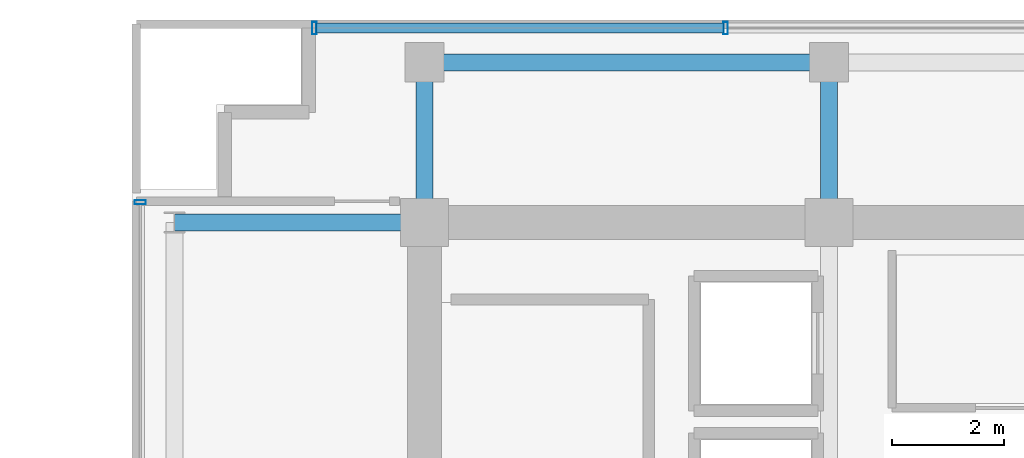
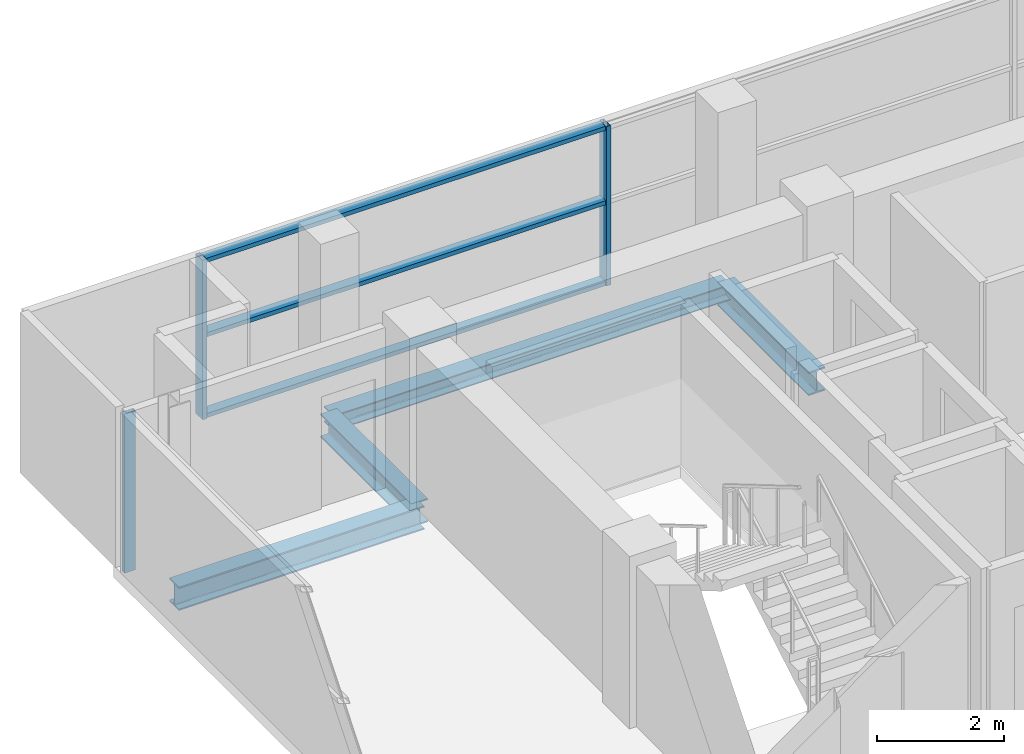
# One storey, part 11 of 21: 6 members, 4 beams, 2 elements without a shape of their own.
"""IFC4 building model written with IfcOpenShell, lengths in metres."""

from ifc_helpers import new_model, si_unit, direction, frame, origin, origin_2d, place, context, subcontext, project, spatial, hollow_rectangle, i_section, extrude, source, transform, mapped, material, layer, layer_set, material_profile, profile_set, type_object, element, aggregate, save


model = new_model("IFC4")

# Units and contexts
model_context = context("Model", 3, precision=1e-05, world=origin(), true_north=direction((0.0, 1.0)))
body_context = subcontext(model_context, "Body", "Model", "MODEL_VIEW")
ifc_project = project(units=[si_unit("LENGTHUNIT", "METRE"), si_unit("AREAUNIT", "SQUARE_METRE"), si_unit("VOLUMEUNIT", "CUBIC_METRE"), si_unit("PLANEANGLEUNIT", "RADIAN"), si_unit("MASSUNIT", "GRAM", prefix="KILO")], contexts=[model_context])

# Site, building, storey
site_placement = place(None, origin())
site = spatial("IfcSite", under=ifc_project, at=site_placement, CompositionType="ELEMENT")
building_placement = place(site_placement, origin())
building = spatial("IfcBuilding", under=site, at=building_placement, Name="Zarnakvel Exchange Tower", CompositionType="ELEMENT")
storey_placement = place(building_placement, frame((0.0, 0.0, 248.5)))
storey = spatial("IfcBuildingStorey", under=building, at=storey_placement, Name="L70", CompositionType="ELEMENT", Elevation=248.5)

# Beams
ifc_material_1 = material(Name="Steel S355", Category="steel")
ifc_material_profile_1 = material_profile(ifc_material_1, i_section(OverallWidth=0.300048828125, OverallDepth=0.449951171875, WebThickness=0.013916015625, FlangeThickness=0.02587890625, FilletRadius=0.027099609375, at=origin_2d()))
ifc_profile_set_1 = profile_set([ifc_material_profile_1], Name="Steel S355")
beam_type_1 = type_object("IfcBeamType", Name="G-07", PredefinedType="BEAM", material=ifc_profile_set_1)
beam_1_placement = place(storey_placement, frame((-18.85009765625, 13.5, -0.449951171875), z_axis=(1.0, 0.0, 0.0), x_axis=(0.0, 1.0, 0.0)))
element("IfcBeam", 1, at=beam_1_placement, inside=storey, type_object=beam_type_1, Name="L70 Tower E-W Frame Beam", PredefinedType="BEAM", context=body_context, shape_type="SweptSolid", body=[
    extrude(i_section(OverallWidth=0.300048828125, OverallDepth=0.449951171875, WebThickness=0.013916015625, FlangeThickness=0.02587890625, FilletRadius=0.027099609375, at=origin_2d()), origin(), (0.0, 0.0, 1.0), 4.4501953125),
])
for number, where, z_axis, x_axis, name in (
    (2, (-14.39990234375, 13.5, -0.449951171875), (0.0, 1.0, 0.0), (-1.0, 0.0, 0.0), "L70 Tower N-S Frame Beam"),
    (3, (-7.199951171875, 13.5, -0.449951171875), (0.0, 1.0, 0.0), (-1.0, 0.0, 0.0), "L70 Tower N-S Frame Beam"),
):
    element("IfcBeam", number, at=place(storey_placement, frame(where, z_axis=z_axis, x_axis=x_axis)), inside=storey, type_object=beam_type_1, Name=name, PredefinedType="BEAM", context=body_context, shape_type="SweptSolid", body=[
        extrude(i_section(OverallWidth=0.300048828125, OverallDepth=0.449951171875, WebThickness=0.013916015625, FlangeThickness=0.02587890625, FilletRadius=0.027099609375, at=origin_2d()), origin(), (0.0, 0.0, 1.0), 2.85009765625),
    ])
ifc_material_profile_2 = material_profile(ifc_material_1, i_section(OverallWidth=0.300048828125, OverallDepth=0.300048828125, WebThickness=0.010986328125, FlangeThickness=0.01904296875, FilletRadius=0.027099609375, at=origin_2d()))
ifc_profile_set_2 = profile_set([ifc_material_profile_2], Name="Steel S355")
beam_type_2 = type_object("IfcBeamType", Name="SP-03", PredefinedType="SPANDREL", material=ifc_profile_set_2)
beam_2_placement = place(storey_placement, frame((-14.39990234375, 16.35009765625, -0.375), z_axis=(1.0, 0.0, 0.0), x_axis=(0.0, 1.0, 0.0)))
element("IfcBeam", 4, at=beam_2_placement, inside=storey, type_object=beam_type_2, Name="L70 Tower E-W Frame Beam", PredefinedType="SPANDREL", context=body_context, shape_type="SweptSolid", body=[
    extrude(i_section(OverallWidth=0.300048828125, OverallDepth=0.300048828125, WebThickness=0.010986328125, FlangeThickness=0.01904296875, FilletRadius=0.027099609375, at=origin_2d()), origin(), (0.0, 0.0, 1.0), 7.199951171875),
])

# Curtain wall, member
ifc_material_2 = material(Name="Architectural Bronze Anodised Aluminium", Category="aluminium")
ifc_layer_1 = layer(ifc_material_2, 0.199951171875)
ifc_layer_set_1 = layer_set([ifc_layer_1], Name="Architectural Bronze Anodised Aluminium")
curtain_wall_type_1 = type_object("IfcCurtainWallType", Name="CW-04", PredefinedType="NOTDEFINED", material=ifc_layer_set_1)
curtain_wall_1_placement = place(storey_placement, origin())
curtain_wall_1 = element("IfcCurtainWall", 5, at=curtain_wall_1_placement, inside=storey, type_object=curtain_wall_type_1, Name="L70 Curtain Wall CW-L70-WN (CW-04)", PredefinedType="NOTDEFINED")
ifc_material_profile_3 = material_profile(ifc_material_2, hollow_rectangle(XDim=0.199951171875, YDim=0.074951171875, WallThickness=0.0048828125, at=origin_2d()))
ifc_profile_set_3 = profile_set([ifc_material_profile_3], Name="Architectural Bronze Anodised Aluminium")
member_type_1 = type_object("IfcMemberType", Name="CWM-04", PredefinedType="MULLION", material=ifc_profile_set_3)
shared_shape_1 = source(origin(), body_context, "Body", "SweptSolid", [
    extrude(hollow_rectangle(XDim=0.199951171875, YDim=0.074951171875, WallThickness=0.0048828125, at=origin_2d()), origin(), (0.0, 0.0, 1.0), 3.054931640625),
])
member_1_placement = place(storey_placement, frame((-19.4599609375, 13.862548828125, 0.0), z_axis=(0.0, 0.0, 1.0), x_axis=(-1.0, 0.0, 0.0)))
member_1 = element("IfcMember", 6, at=member_1_placement, type_object=member_type_1, Name="CW-04 mullion 3", PredefinedType="MULLION", context=body_context, shape_type="MappedRepresentation", body=[
    mapped(shared_shape_1, transform((0.0, 0.0, 0.0), x_axis=(1.0, 0.0, 0.0), y_axis=(0.0, 1.0, 0.0), z_axis=(0.0, 0.0, 1.0), scale=1.0)),
])
aggregate(curtain_wall_1, [member_1])

# Curtain wall, members
ifc_layer_2 = layer(ifc_material_2, 0.219970703125)
ifc_layer_set_2 = layer_set([ifc_layer_2], Name="Architectural Bronze Anodised Aluminium")
curtain_wall_type_2 = type_object("IfcCurtainWallType", Name="CW-03", PredefinedType="NOTDEFINED", material=ifc_layer_set_2)
curtain_wall_2_placement = place(storey_placement, origin())
curtain_wall_2 = element("IfcCurtainWall", 7, at=curtain_wall_2_placement, inside=storey, type_object=curtain_wall_type_2, Name="L70 Curtain Wall CW-L70-N1 (CW-03)", PredefinedType="NOTDEFINED")
ifc_material_profile_4 = material_profile(ifc_material_2, hollow_rectangle(XDim=0.219970703125, YDim=0.080078125, WallThickness=0.0048828125, at=origin_2d()))
ifc_profile_set_4 = profile_set([ifc_material_profile_4], Name="Architectural Bronze Anodised Aluminium")
member_type_2 = type_object("IfcMemberType", Name="CWM-03", PredefinedType="MULLION", material=ifc_profile_set_4)
shared_shape_2 = source(origin(), body_context, "Body", "SweptSolid", [
    extrude(hollow_rectangle(XDim=0.219970703125, YDim=0.080078125, WallThickness=0.0048828125, at=origin_2d()), origin(), (0.0, 0.0, 1.0), 3.054931640625),
])
member_2_placement = place(storey_placement, frame((-16.360107421875, 16.9599609375, 0.0), z_axis=(0.0, 0.0, 1.0), x_axis=(0.0, 1.0, 0.0)))
member_2 = element("IfcMember", 8, at=member_2_placement, type_object=member_type_2, Name="CW-03 mullion 1", PredefinedType="MULLION", context=body_context, shape_type="MappedRepresentation", body=[
    mapped(shared_shape_2, transform((0.0, 0.0, 0.0), x_axis=(1.0, 0.0, 0.0), y_axis=(0.0, 1.0, 0.0), z_axis=(0.0, 0.0, 1.0), scale=1.0)),
])
member_3_placement = place(storey_placement, frame((-9.0400390625, 16.9599609375, 0.0), z_axis=(0.0, 0.0, 1.0), x_axis=(0.0, 1.0, 0.0)))
member_3 = element("IfcMember", 9, at=member_3_placement, type_object=member_type_2, Name="CW-03 mullion 2", PredefinedType="MULLION", context=body_context, shape_type="MappedRepresentation", body=[
    mapped(shared_shape_2, transform((0.0, 0.0, 0.0), x_axis=(1.0, 0.0, 0.0), y_axis=(0.0, 1.0, 0.0), z_axis=(0.0, 0.0, 1.0), scale=1.0)),
])
ifc_material_profile_5 = material_profile(ifc_material_2, hollow_rectangle(XDim=0.179931640625, YDim=0.080078125, WallThickness=0.00390625, at=origin_2d()))
ifc_profile_set_5 = profile_set([ifc_material_profile_5], Name="Architectural Bronze Anodised Aluminium")
member_type_3 = type_object("IfcMemberType", Name="CWT-03", PredefinedType="USERDEFINED", material=ifc_profile_set_5)
shared_shape_3 = source(origin(), body_context, "Body", "SweptSolid", [
    extrude(hollow_rectangle(XDim=0.179931640625, YDim=0.080078125, WallThickness=0.00390625, at=origin_2d()), origin(), (0.0, 0.0, 1.0), 7.239990234375),
])
member_4_placement = place(storey_placement, frame((-16.320068359375, 16.9599609375, 0.0400390625), z_axis=(1.0, 0.0, 0.0), x_axis=(0.0, 1.0, 0.0)))
member_4 = element("IfcMember", 10, at=member_4_placement, type_object=member_type_3, Name="CW-03 transom 1.1", ObjectType="TRANSOM", PredefinedType="USERDEFINED", context=body_context, shape_type="MappedRepresentation", body=[
    mapped(shared_shape_3, transform((0.0, 0.0, 0.0), x_axis=(1.0, 0.0, 0.0), y_axis=(0.0, 1.0, 0.0), z_axis=(0.0, 0.0, 1.0), scale=1.0)),
])
member_5_placement = place(storey_placement, frame((-16.320068359375, 16.9599609375, 1.588623046875), z_axis=(1.0, 0.0, 0.0), x_axis=(0.0, 1.0, 0.0)))
member_5 = element("IfcMember", 11, at=member_5_placement, type_object=member_type_3, Name="CW-03 transom 1.2", ObjectType="TRANSOM", PredefinedType="USERDEFINED", context=body_context, shape_type="MappedRepresentation", body=[
    mapped(shared_shape_3, transform((0.0, 0.0, 0.0), x_axis=(1.0, 0.0, 0.0), y_axis=(0.0, 1.0, 0.0), z_axis=(0.0, 0.0, 1.0), scale=1.0)),
])
member_6_placement = place(storey_placement, frame((-16.320068359375, 16.9599609375, 3.014892578125), z_axis=(1.0, 0.0, 0.0), x_axis=(0.0, 1.0, 0.0)))
member_6 = element("IfcMember", 12, at=member_6_placement, type_object=member_type_3, Name="CW-03 transom 1.3", ObjectType="TRANSOM", PredefinedType="USERDEFINED", context=body_context, shape_type="MappedRepresentation", body=[
    mapped(shared_shape_3, transform((0.0, 0.0, 0.0), x_axis=(1.0, 0.0, 0.0), y_axis=(0.0, 1.0, 0.0), z_axis=(0.0, 0.0, 1.0), scale=1.0)),
])
aggregate(curtain_wall_2, [member_2, member_3, member_4, member_5, member_6])

save(model, "model.ifc")
